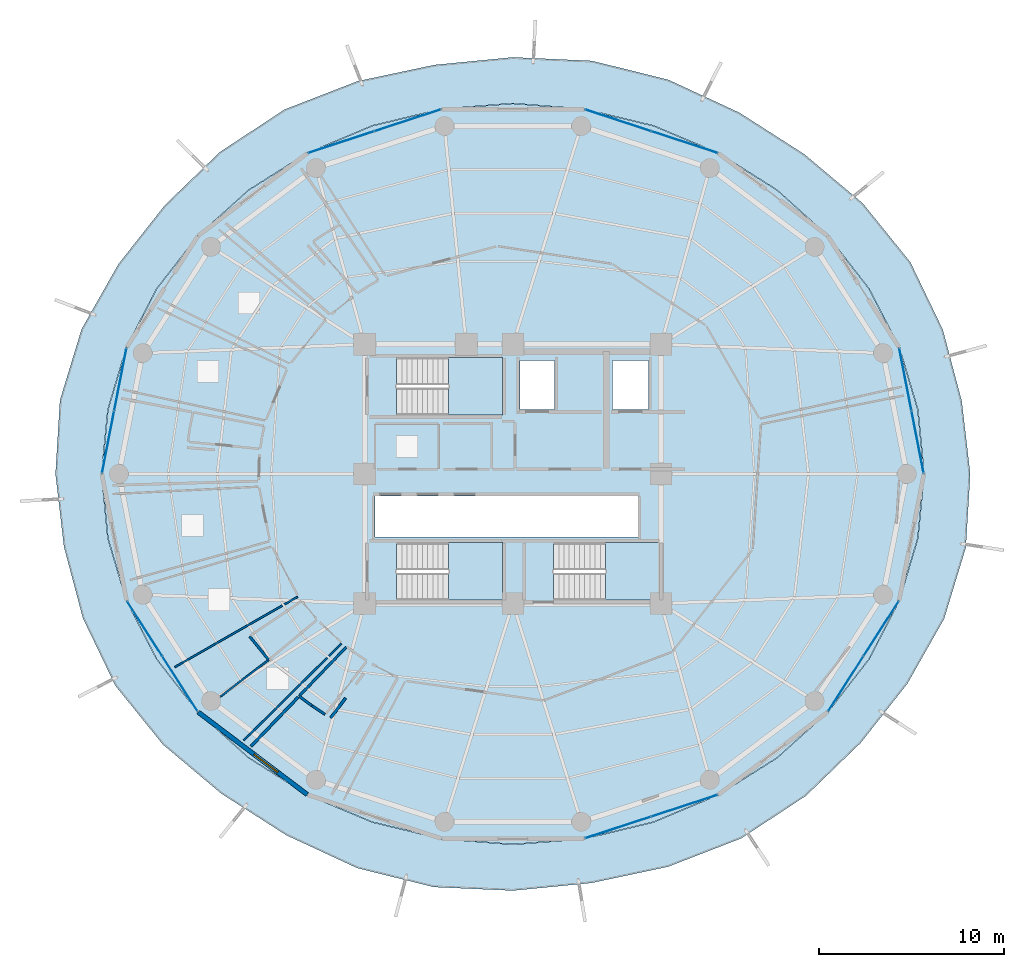
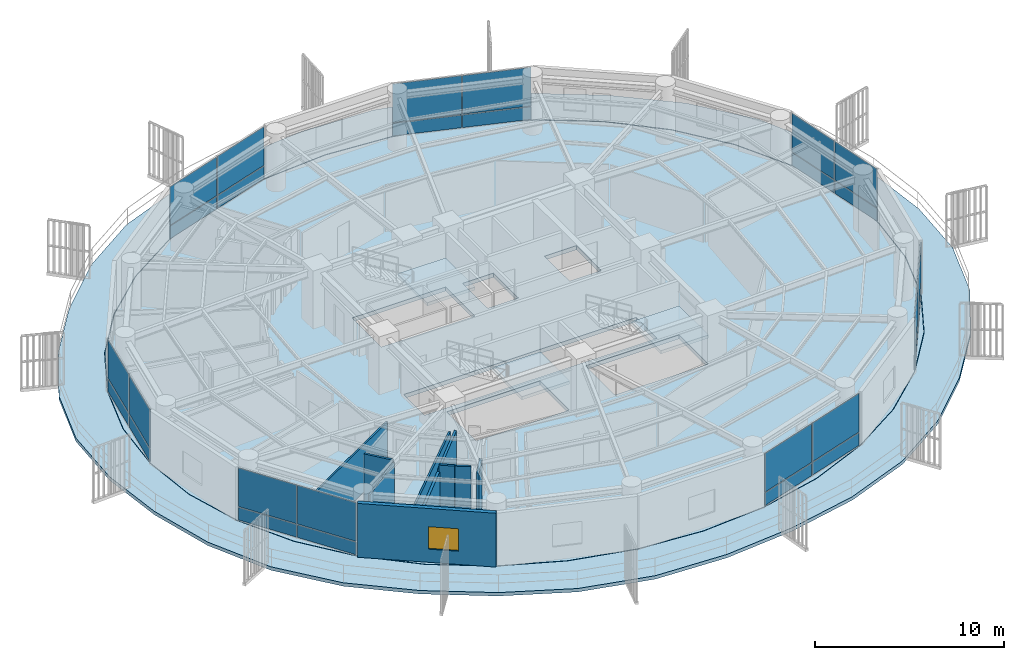
# One storey, part 23 of 31: 28 plates, 10 walls, 5 slabs, 1 window, 1 opening, 10 elements without a shape of their own.
"""IFC4 building model written with IfcOpenShell, lengths in metres."""

from ifc_helpers import new_model, si_unit, direction, frame, frame_2d, origin, origin_2d, place, context, subcontext, project, spatial, polyline, rectangle, outline, extrude, source, transform, mapped, material, layer, layer_set, type_object, element, fill, aggregate, save


model = new_model("IFC4")

# Units and contexts
model_context = context("Model", 3, precision=1e-05, world=origin(), true_north=direction((0.0, 1.0)))
body_context = subcontext(model_context, "Body", "Model", "MODEL_VIEW")
ifc_project = project(units=[si_unit("LENGTHUNIT", "METRE"), si_unit("AREAUNIT", "SQUARE_METRE"), si_unit("VOLUMEUNIT", "CUBIC_METRE"), si_unit("PLANEANGLEUNIT", "RADIAN"), si_unit("MASSUNIT", "GRAM", prefix="KILO")], contexts=[model_context])

# Site, building, storey
site_placement = place(None, origin())
site = spatial("IfcSite", under=ifc_project, at=site_placement, CompositionType="ELEMENT")
building_placement = place(site_placement, origin())
building = spatial("IfcBuilding", under=site, at=building_placement, Name="Kelanora Arch Commons", CompositionType="ELEMENT")
storey_placement = place(building_placement, frame((0.0, 0.0, 196.949951171875)))
storey = spatial("IfcBuildingStorey", under=building, at=storey_placement, Name="L50", CompositionType="ELEMENT", Elevation=196.949951171875)

# Stair, slab
ifc_material_1 = material(Name="Concrete C40/50", Category="concrete")
stair_type = type_object("IfcStairType", Name="STR-DL-375", PredefinedType="HALF_TURN_STAIR", material=ifc_material_1)
stair_1_placement = place(storey_placement, origin())
stair_1 = element("IfcStair", 1, at=stair_1_placement, inside=storey, type_object=stair_type, Name="L50 ST-T1", PredefinedType="HALF_TURN_STAIR")
ifc_layer_1 = layer(ifc_material_1, 0.199951171875)
ifc_layer_set_1 = layer_set([ifc_layer_1], Name="Concrete C40/50")
slab_type_1 = type_object("IfcSlabType", Name="SLB-STAIR-LND", PredefinedType="LANDING", material=ifc_layer_set_1)
slab_1_placement = place(storey_placement, frame((0.0, 0.0, 1.675048828125)))
slab_1 = element("IfcSlab", 2, at=slab_1_placement, type_object=slab_type_1, Name="ST-T1 landing 1", PredefinedType="LANDING", context=body_context, shape_type="SweptSolid", body=[
    extrude(outline(polyline([(70.52001953125, 61.179931640625), (73.43994140625, 61.179931640625), (73.43994140625, 64.2900390625), (70.52001953125, 64.2900390625), (70.52001953125, 61.179931640625)])), origin(), (0.0, 0.0, 1.0), 0.199951171875),
])
aggregate(stair_1, [slab_1])

stair_2_placement = place(storey_placement, origin())
stair_2 = element("IfcStair", 3, at=stair_2_placement, inside=storey, type_object=stair_type, Name="L50 ST-T2", PredefinedType="HALF_TURN_STAIR")
slab_2_placement = place(storey_placement, frame((0.0, 0.0, 1.675048828125)))
slab_2 = element("IfcSlab", 4, at=slab_2_placement, type_object=slab_type_1, Name="ST-T2 landing 1", PredefinedType="LANDING", context=body_context, shape_type="SweptSolid", body=[
    extrude(outline(polyline([(79.0, 51.179931640625), (81.919921875, 51.179931640625), (81.919921875, 54.2900390625), (79.0, 54.2900390625), (79.0, 51.179931640625)])), origin(), (0.0, 0.0, 1.0), 0.199951171875),
])
aggregate(stair_2, [slab_2])

stair_3_placement = place(storey_placement, origin())
stair_3 = element("IfcStair", 5, at=stair_3_placement, inside=storey, type_object=stair_type, Name="L50 ST-T3", PredefinedType="HALF_TURN_STAIR")
slab_3_placement = place(storey_placement, frame((0.0, 0.0, 1.675048828125)))
slab_3 = element("IfcSlab", 6, at=slab_3_placement, type_object=slab_type_1, Name="ST-T3 landing 1", PredefinedType="LANDING", context=body_context, shape_type="SweptSolid", body=[
    extrude(outline(polyline([(70.52001953125, 51.179931640625), (73.43994140625, 51.179931640625), (73.43994140625, 54.2900390625), (70.52001953125, 54.2900390625), (70.52001953125, 51.179931640625)])), origin(), (0.0, 0.0, 1.0), 0.199951171875),
])
aggregate(stair_3, [slab_3])

# Slabs
ifc_layer_2 = layer(ifc_material_1, 0.260009765625)
ifc_layer_set_2 = layer_set([ifc_layer_2], Name="Concrete C40/50")
slab_type_2 = type_object("IfcSlabType", Name="SLB-TWR-TYP", PredefinedType="FLOOR", material=ifc_layer_set_2)
slab_4_placement = place(storey_placement, frame((0.0, 0.0, -0.260009765625)))
element("IfcSlab", 7, at=slab_4_placement, inside=storey, type_object=slab_type_2, Name="Tower Floor Slab L50", PredefinedType="FLOOR", context=body_context, shape_type="SweptSolid", body=[
    extrude(outline(polyline([(96.199951171875, 58.0), (95.86279296875, 61.472900390625), (94.861083984375, 64.84033203125), (93.225830078125, 68.0), (91.006103515625, 70.855712890625), (88.27001953125, 73.32080078125), (85.10009765625, 75.320556640625), (81.5927734375, 76.7939453125), (77.85498046875, 77.6962890625), (74.0, 78.0), (70.14501953125, 77.6962890625), (66.4072265625, 76.7939453125), (62.89990234375, 75.320556640625), (59.72998046875, 73.32080078125), (56.993896484375, 70.855712890625), (54.774169921875, 68.0), (53.138916015625, 64.84033203125), (52.13720703125, 61.472900390625), (51.800048828125, 58.0), (52.13720703125, 54.527099609375), (53.138916015625, 51.15966796875), (54.774169921875, 48.0), (56.993896484375, 45.144287109375), (59.72998046875, 42.67919921875), (62.89990234375, 40.679443359375), (66.4072265625, 39.2060546875), (70.14501953125, 38.3037109375), (74.0, 38.0), (77.85498046875, 38.3037109375), (81.5927734375, 39.2060546875), (85.10009765625, 40.679443359375), (88.27001953125, 42.67919921875), (91.006103515625, 45.144287109375), (93.225830078125, 48.0), (94.861083984375, 51.15966796875), (95.86279296875, 54.527099609375), (96.199951171875, 58.0)]), holes=[polyline([(73.431884765625, 51.18798828125), (67.72802734375, 51.18798828125), (67.72802734375, 54.281982421875), (73.431884765625, 54.281982421875), (73.431884765625, 51.18798828125)]), polyline([(76.2080078125, 51.18798828125), (76.2080078125, 54.281982421875), (81.912109375, 54.281982421875), (81.912109375, 51.18798828125), (76.2080078125, 51.18798828125)]), polyline([(66.550048828125, 54.60009765625), (66.550048828125, 56.800048828125), (80.75, 56.800048828125), (80.75, 54.60009765625), (66.550048828125, 54.60009765625)]), polyline([(73.431884765625, 61.18798828125), (67.72802734375, 61.18798828125), (67.72802734375, 64.281982421875), (73.431884765625, 64.281982421875), (73.431884765625, 61.18798828125)]), polyline([(74.3798828125, 61.47998046875), (74.3798828125, 64.1201171875), (76.260009765625, 64.1201171875), (76.260009765625, 61.47998046875), (74.3798828125, 61.47998046875)]), polyline([(79.3798828125, 61.47998046875), (79.3798828125, 64.1201171875), (81.320068359375, 64.1201171875), (81.320068359375, 61.47998046875), (79.3798828125, 61.47998046875)])]), origin(), (0.0, 0.0, 1.0), 0.260009765625),
])
ifc_layer_3 = layer(ifc_material_1, 0.219970703125)
ifc_layer_set_3 = layer_set([ifc_layer_3], Name="Concrete C40/50")
slab_type_3 = type_object("IfcSlabType", Name="SLB-WAVE-BAL", PredefinedType="FLOOR", material=ifc_layer_set_3)
slab_5_placement = place(storey_placement, frame((0.0, 0.0, -0.219970703125)))
element("IfcSlab", 8, at=slab_5_placement, inside=storey, type_object=slab_type_3, Name="Sinusoidal Wave Balcony Slab L50", PredefinedType="FLOOR", context=body_context, shape_type="SweptSolid", body=[
    extrude(outline(polyline([(98.703857421875, 58.0), (98.244140625, 61.939208984375), (97.220703125, 65.793701171875), (95.468017578125, 69.43701171875), (92.8984375, 72.6181640625), (89.741943359375, 75.26806640625), (86.23876953125, 77.509765625), (82.409912109375, 79.285400390625), (78.2705078125, 80.312255859375), (74.0, 80.50390625), (69.764404296875, 80.0927734375), (65.6142578125, 79.2119140625), (61.671142578125, 77.68310546875), (58.170654296875, 75.3837890625), (55.20751953125, 72.519287109375), (52.696533203125, 69.33154296875), (50.707763671875, 65.822509765625), (49.537841796875, 61.981689453125), (49.296142578125, 58.0), (49.755859375, 54.060791015625), (50.779296875, 50.206298828125), (52.531982421875, 46.56298828125), (55.1015625, 43.3818359375), (58.258056640625, 40.73193359375), (61.76123046875, 38.490234375), (65.590087890625, 36.714599609375), (69.7294921875, 35.687744140625), (74.0, 35.49609375), (78.235595703125, 35.9072265625), (82.3857421875, 36.7880859375), (86.328857421875, 38.31689453125), (89.829345703125, 40.6162109375), (92.79248046875, 43.480712890625), (95.303466796875, 46.66845703125), (97.292236328125, 50.177490234375), (98.462158203125, 54.018310546875), (98.703857421875, 58.0)]), holes=[polyline([(95.88232421875, 54.523681640625), (94.8798828125, 51.15283203125), (93.2431640625, 47.989990234375), (91.021484375, 45.13134765625), (88.28271484375, 42.663818359375), (85.110107421875, 40.662109375), (81.599609375, 39.1875), (77.8583984375, 38.2841796875), (74.0, 37.97998046875), (70.1416015625, 38.2841796875), (66.400390625, 39.1875), (62.889892578125, 40.662109375), (59.71728515625, 42.663818359375), (56.978515625, 45.13134765625), (54.7568359375, 47.989990234375), (53.1201171875, 51.15283203125), (52.11767578125, 54.523681640625), (51.780029296875, 58.0), (52.11767578125, 61.476318359375), (53.1201171875, 64.84716796875), (54.7568359375, 68.010009765625), (56.978515625, 70.86865234375), (59.71728515625, 73.336181640625), (62.889892578125, 75.337890625), (66.400390625, 76.8125), (70.1416015625, 77.7158203125), (74.0, 78.02001953125), (77.8583984375, 77.7158203125), (81.599609375, 76.8125), (85.110107421875, 75.337890625), (88.28271484375, 73.336181640625), (91.021484375, 70.86865234375), (93.2431640625, 68.010009765625), (94.8798828125, 64.84716796875), (95.88232421875, 61.476318359375), (96.219970703125, 58.0), (95.88232421875, 54.523681640625)])]), origin(), (0.0, 0.0, 1.0), 0.219970703125),
])

# Curtain wall, plates
ifc_material_2 = material(Name="Terracotta ceramic-fritted low-E glass and aluminium", Category="masonry")
ifc_layer_4 = layer(ifc_material_2, 0.175048828125)
ifc_layer_set_4 = layer_set([ifc_layer_4], Name="Terracotta ceramic-fritted low-E glass and aluminium")
curtain_wall_type = type_object("IfcCurtainWallType", Name="CW-SYS-02", PredefinedType="NOTDEFINED", material=ifc_layer_set_4)
curtain_wall_1_placement = place(storey_placement, origin())
curtain_wall_1 = element("IfcCurtainWall", 9, at=curtain_wall_1_placement, inside=storey, type_object=curtain_wall_type, Name="Unitised Curtain Wall L50-B00", PredefinedType="NOTDEFINED")
ifc_material_3 = material(Name="Terracotta ceramic-fritted double glazing", Category="masonry")
ifc_layer_5 = layer(ifc_material_3, 0.028076171875)
ifc_layer_set_5 = layer_set([ifc_layer_5], Name="Terracotta ceramic-fritted double glazing")
plate_type = type_object("IfcPlateType", Name="CWP-FRIT", PredefinedType="CURTAIN_PANEL", material=ifc_layer_set_5)
shared_shape_1 = source(origin(), body_context, "Body", "SweptSolid", [
    extrude(rectangle(XDim=3.380126953125, YDim=0.028076171875, at=origin_2d()), origin(), (0.0, 0.0, 1.0), 0.81005859375),
])
plate_1_placement = place(storey_placement, frame((95.861083984375, 59.732177734375, 0.06005859375), z_axis=(0.0, 0.0, 1.0), x_axis=(-0.192068926335, 0.981381438349, 0.0)))
plate_1 = element("IfcPlate", 10, at=plate_1_placement, type_object=plate_type, Name="CW-02 panel 1.1", PredefinedType="CURTAIN_PANEL", context=body_context, shape_type="MappedRepresentation", body=[
    mapped(shared_shape_1, transform((0.0, 0.0, 0.0), scale=1.0)),
])
plate_2_placement = place(storey_placement, frame((95.2001953125, 63.108154296875, 0.06005859375), z_axis=(0.0, 0.0, 1.0), x_axis=(-0.192068926335, 0.981381438349, 0.0)))
plate_2 = element("IfcPlate", 11, at=plate_2_placement, type_object=plate_type, Name="CW-02 panel 2.1", PredefinedType="CURTAIN_PANEL", context=body_context, shape_type="MappedRepresentation", body=[
    mapped(shared_shape_1, transform((0.0, 0.0, 0.0), scale=1.0)),
])

curtain_wall_2_placement = place(storey_placement, origin())
curtain_wall_2 = element("IfcCurtainWall", 12, at=curtain_wall_2_placement, inside=storey, type_object=curtain_wall_type, Name="Unitised Curtain Wall L50-B08", PredefinedType="NOTDEFINED")
plate_3_placement = place(storey_placement, frame((52.7998046875, 63.108154296875, 0.06005859375), z_axis=(0.0, 0.0, 1.0), x_axis=(-0.192068926335, -0.981381438349, 0.0)))
plate_3 = element("IfcPlate", 13, at=plate_3_placement, type_object=plate_type, Name="CW-02 panel 1.1", PredefinedType="CURTAIN_PANEL", context=body_context, shape_type="MappedRepresentation", body=[
    mapped(shared_shape_1, transform((0.0, 0.0, 0.0), scale=1.0)),
])
plate_4_placement = place(storey_placement, frame((52.138916015625, 59.732177734375, 0.06005859375), z_axis=(0.0, 0.0, 1.0), x_axis=(-0.192068926335, -0.981381438349, 0.0)))
plate_4 = element("IfcPlate", 14, at=plate_4_placement, type_object=plate_type, Name="CW-02 panel 2.1", PredefinedType="CURTAIN_PANEL", context=body_context, shape_type="MappedRepresentation", body=[
    mapped(shared_shape_1, transform((0.0, 0.0, 0.0), scale=1.0)),
])

# Plate
shared_shape_2 = source(origin(), body_context, "Body", "SweptSolid", [
    extrude(rectangle(XDim=3.380126953125, YDim=0.028076171875, at=origin_2d()), origin(), (0.0, 0.0, 1.0), 2.485107421875),
])
plate_5_placement = place(storey_placement, frame((95.861083984375, 59.732177734375, 0.93017578125), z_axis=(0.0, 0.0, 1.0), x_axis=(-0.192068926335, 0.981381438349, 0.0)))
plate_5 = element("IfcPlate", 15, at=plate_5_placement, type_object=plate_type, Name="CW-02 panel 1.2", PredefinedType="CURTAIN_PANEL", context=body_context, shape_type="MappedRepresentation", body=[
    mapped(shared_shape_2, transform((0.0, 0.0, 0.0), scale=1.0)),
])

plate_6_placement = place(storey_placement, frame((95.2001953125, 63.108154296875, 0.93017578125), z_axis=(0.0, 0.0, 1.0), x_axis=(-0.192068926335, 0.981381438349, 0.0)))
plate_6 = element("IfcPlate", 16, at=plate_6_placement, type_object=plate_type, Name="CW-02 panel 2.2", PredefinedType="CURTAIN_PANEL", context=body_context, shape_type="MappedRepresentation", body=[
    mapped(shared_shape_2, transform((0.0, 0.0, 0.0), scale=1.0)),
])

aggregate(curtain_wall_1, [plate_1, plate_5, plate_2, plate_6])

plate_7_placement = place(storey_placement, frame((52.7998046875, 63.108154296875, 0.93017578125), z_axis=(0.0, 0.0, 1.0), x_axis=(-0.192068926335, -0.981381438349, 0.0)))
plate_7 = element("IfcPlate", 17, at=plate_7_placement, type_object=plate_type, Name="CW-02 panel 1.2", PredefinedType="CURTAIN_PANEL", context=body_context, shape_type="MappedRepresentation", body=[
    mapped(shared_shape_2, transform((0.0, 0.0, 0.0), scale=1.0)),
])

plate_8_placement = place(storey_placement, frame((52.138916015625, 59.732177734375, 0.93017578125), z_axis=(0.0, 0.0, 1.0), x_axis=(-0.192068926335, -0.981381438349, 0.0)))
plate_8 = element("IfcPlate", 18, at=plate_8_placement, type_object=plate_type, Name="CW-02 panel 2.2", PredefinedType="CURTAIN_PANEL", context=body_context, shape_type="MappedRepresentation", body=[
    mapped(shared_shape_2, transform((0.0, 0.0, 0.0), scale=1.0)),
])

aggregate(curtain_wall_2, [plate_3, plate_7, plate_4, plate_8])

# Curtain wall, plates
curtain_wall_3_placement = place(storey_placement, origin())
curtain_wall_3 = element("IfcCurtainWall", 19, at=curtain_wall_3_placement, inside=storey, type_object=curtain_wall_type, Name="Unitised Curtain Wall L50-B03", PredefinedType="NOTDEFINED")
shared_shape_3 = source(origin(), body_context, "Body", "SweptSolid", [
    extrude(rectangle(XDim=3.707275390625, YDim=0.028076171875, at=origin_2d()), origin(), (0.0, 0.0, 1.0), 0.81005859375),
])
plate_9_placement = place(storey_placement, frame((83.267333984375, 75.92138671875, 0.06005859375), z_axis=(0.0, 0.0, 1.0), x_axis=(-0.950219124029, 0.311582439059, 0.0)))
plate_9 = element("IfcPlate", 20, at=plate_9_placement, type_object=plate_type, Name="CW-02 panel 1.1", PredefinedType="CURTAIN_PANEL", context=body_context, shape_type="MappedRepresentation", body=[
    mapped(shared_shape_3, transform((0.0, 0.0, 0.0), scale=1.0)),
])
plate_10_placement = place(storey_placement, frame((79.687744140625, 77.09521484375, 0.06005859375), z_axis=(0.0, 0.0, 1.0), x_axis=(-0.950219124029, 0.311582439059, 0.0)))
plate_10 = element("IfcPlate", 21, at=plate_10_placement, type_object=plate_type, Name="CW-02 panel 2.1", PredefinedType="CURTAIN_PANEL", context=body_context, shape_type="MappedRepresentation", body=[
    mapped(shared_shape_3, transform((0.0, 0.0, 0.0), scale=1.0)),
])

curtain_wall_4_placement = place(storey_placement, origin())
curtain_wall_4 = element("IfcCurtainWall", 22, at=curtain_wall_4_placement, inside=storey, type_object=curtain_wall_type, Name="Unitised Curtain Wall L50-B05", PredefinedType="NOTDEFINED")
plate_11_placement = place(storey_placement, frame((68.312255859375, 77.09521484375, 0.06005859375), z_axis=(0.0, 0.0, 1.0), x_axis=(-0.950219124029, -0.311582439059, 0.0)))
plate_11 = element("IfcPlate", 23, at=plate_11_placement, type_object=plate_type, Name="CW-02 panel 1.1", PredefinedType="CURTAIN_PANEL", context=body_context, shape_type="MappedRepresentation", body=[
    mapped(shared_shape_3, transform((0.0, 0.0, 0.0), scale=1.0)),
])
plate_12_placement = place(storey_placement, frame((64.732666015625, 75.92138671875, 0.06005859375), z_axis=(0.0, 0.0, 1.0), x_axis=(-0.950219124029, -0.311582439059, 0.0)))
plate_12 = element("IfcPlate", 24, at=plate_12_placement, type_object=plate_type, Name="CW-02 panel 2.1", PredefinedType="CURTAIN_PANEL", context=body_context, shape_type="MappedRepresentation", body=[
    mapped(shared_shape_3, transform((0.0, 0.0, 0.0), scale=1.0)),
])

curtain_wall_5_placement = place(storey_placement, origin())
curtain_wall_5 = element("IfcCurtainWall", 25, at=curtain_wall_5_placement, inside=storey, type_object=curtain_wall_type, Name="Unitised Curtain Wall L50-B14", PredefinedType="NOTDEFINED")
plate_13_placement = place(storey_placement, frame((79.687744140625, 38.90478515625, 0.06005859375), z_axis=(0.0, 0.0, 1.0), x_axis=(0.950219124029, 0.311582439059, 0.0)))
plate_13 = element("IfcPlate", 26, at=plate_13_placement, type_object=plate_type, Name="CW-02 panel 1.1", PredefinedType="CURTAIN_PANEL", context=body_context, shape_type="MappedRepresentation", body=[
    mapped(shared_shape_3, transform((0.0, 0.0, 0.0), scale=1.0)),
])
plate_14_placement = place(storey_placement, frame((83.267333984375, 40.07861328125, 0.06005859375), z_axis=(0.0, 0.0, 1.0), x_axis=(0.950219124029, 0.311582439059, 0.0)))
plate_14 = element("IfcPlate", 27, at=plate_14_placement, type_object=plate_type, Name="CW-02 panel 2.1", PredefinedType="CURTAIN_PANEL", context=body_context, shape_type="MappedRepresentation", body=[
    mapped(shared_shape_3, transform((0.0, 0.0, 0.0), scale=1.0)),
])

# Plate
shared_shape_4 = source(origin(), body_context, "Body", "SweptSolid", [
    extrude(rectangle(XDim=3.707275390625, YDim=0.028076171875, at=origin_2d()), origin(), (0.0, 0.0, 1.0), 2.485107421875),
])
plate_15_placement = place(storey_placement, frame((83.267333984375, 75.92138671875, 0.93017578125), z_axis=(0.0, 0.0, 1.0), x_axis=(-0.950219124029, 0.311582439059, 0.0)))
plate_15 = element("IfcPlate", 28, at=plate_15_placement, type_object=plate_type, Name="CW-02 panel 1.2", PredefinedType="CURTAIN_PANEL", context=body_context, shape_type="MappedRepresentation", body=[
    mapped(shared_shape_4, transform((0.0, 0.0, 0.0), scale=1.0)),
])

plate_16_placement = place(storey_placement, frame((79.687744140625, 77.09521484375, 0.93017578125), z_axis=(0.0, 0.0, 1.0), x_axis=(-0.950219124029, 0.311582439059, 0.0)))
plate_16 = element("IfcPlate", 29, at=plate_16_placement, type_object=plate_type, Name="CW-02 panel 2.2", PredefinedType="CURTAIN_PANEL", context=body_context, shape_type="MappedRepresentation", body=[
    mapped(shared_shape_4, transform((0.0, 0.0, 0.0), scale=1.0)),
])

aggregate(curtain_wall_3, [plate_9, plate_15, plate_10, plate_16])

plate_17_placement = place(storey_placement, frame((68.312255859375, 77.09521484375, 0.93017578125), z_axis=(0.0, 0.0, 1.0), x_axis=(-0.950219124029, -0.311582439059, 0.0)))
plate_17 = element("IfcPlate", 30, at=plate_17_placement, type_object=plate_type, Name="CW-02 panel 1.2", PredefinedType="CURTAIN_PANEL", context=body_context, shape_type="MappedRepresentation", body=[
    mapped(shared_shape_4, transform((0.0, 0.0, 0.0), scale=1.0)),
])

plate_18_placement = place(storey_placement, frame((64.732666015625, 75.92138671875, 0.93017578125), z_axis=(0.0, 0.0, 1.0), x_axis=(-0.950219124029, -0.311582439059, 0.0)))
plate_18 = element("IfcPlate", 31, at=plate_18_placement, type_object=plate_type, Name="CW-02 panel 2.2", PredefinedType="CURTAIN_PANEL", context=body_context, shape_type="MappedRepresentation", body=[
    mapped(shared_shape_4, transform((0.0, 0.0, 0.0), scale=1.0)),
])

aggregate(curtain_wall_4, [plate_11, plate_17, plate_12, plate_18])

plate_19_placement = place(storey_placement, frame((79.687744140625, 38.90478515625, 0.93017578125), z_axis=(0.0, 0.0, 1.0), x_axis=(0.950219124029, 0.311582439059, 0.0)))
plate_19 = element("IfcPlate", 32, at=plate_19_placement, type_object=plate_type, Name="CW-02 panel 1.2", PredefinedType="CURTAIN_PANEL", context=body_context, shape_type="MappedRepresentation", body=[
    mapped(shared_shape_4, transform((0.0, 0.0, 0.0), scale=1.0)),
])

plate_20_placement = place(storey_placement, frame((83.267333984375, 40.07861328125, 0.93017578125), z_axis=(0.0, 0.0, 1.0), x_axis=(0.950219124029, 0.311582439059, 0.0)))
plate_20 = element("IfcPlate", 33, at=plate_20_placement, type_object=plate_type, Name="CW-02 panel 2.2", PredefinedType="CURTAIN_PANEL", context=body_context, shape_type="MappedRepresentation", body=[
    mapped(shared_shape_4, transform((0.0, 0.0, 0.0), scale=1.0)),
])

aggregate(curtain_wall_5, [plate_13, plate_19, plate_14, plate_20])

# Curtain wall, plates
curtain_wall_6_placement = place(storey_placement, origin())
curtain_wall_6 = element("IfcCurtainWall", 34, at=curtain_wall_6_placement, inside=storey, type_object=curtain_wall_type, Name="Unitised Curtain Wall L50-B10", PredefinedType="NOTDEFINED")
shared_shape_5 = source(origin(), body_context, "Body", "SweptSolid", [
    extrude(rectangle(XDim=3.46728515625, YDim=0.028076171875, at=origin_2d()), origin(), (0.0, 0.0, 1.0), 0.81005859375),
])
plate_21_placement = place(storey_placement, frame((54.11474609375, 49.63671875, 0.06005859375), z_axis=(0.0, 0.0, 1.0), x_axis=(0.539559338994, -0.84194757539, 0.0)))
plate_21 = element("IfcPlate", 35, at=plate_21_placement, type_object=plate_type, Name="CW-02 panel 1.1", PredefinedType="CURTAIN_PANEL", context=body_context, shape_type="MappedRepresentation", body=[
    mapped(shared_shape_5, transform((0.0, 0.0, 0.0), scale=1.0)),
])
plate_22_placement = place(storey_placement, frame((56.017822265625, 46.6669921875, 0.06005859375), z_axis=(0.0, 0.0, 1.0), x_axis=(0.539559338994, -0.84194757539, 0.0)))
plate_22 = element("IfcPlate", 36, at=plate_22_placement, type_object=plate_type, Name="CW-02 panel 2.1", PredefinedType="CURTAIN_PANEL", context=body_context, shape_type="MappedRepresentation", body=[
    mapped(shared_shape_5, transform((0.0, 0.0, 0.0), scale=1.0)),
])

curtain_wall_7_placement = place(storey_placement, origin())
curtain_wall_7 = element("IfcCurtainWall", 37, at=curtain_wall_7_placement, inside=storey, type_object=curtain_wall_type, Name="Unitised Curtain Wall L50-B16", PredefinedType="NOTDEFINED")
plate_23_placement = place(storey_placement, frame((91.982177734375, 46.6669921875, 0.06005859375), z_axis=(0.0, 0.0, 1.0), x_axis=(0.539559338994, 0.84194757539, 0.0)))
plate_23 = element("IfcPlate", 38, at=plate_23_placement, type_object=plate_type, Name="CW-02 panel 1.1", PredefinedType="CURTAIN_PANEL", context=body_context, shape_type="MappedRepresentation", body=[
    mapped(shared_shape_5, transform((0.0, 0.0, 0.0), scale=1.0)),
])
plate_24_placement = place(storey_placement, frame((93.88525390625, 49.63671875, 0.06005859375), z_axis=(0.0, 0.0, 1.0), x_axis=(0.539559338994, 0.84194757539, 0.0)))
plate_24 = element("IfcPlate", 39, at=plate_24_placement, type_object=plate_type, Name="CW-02 panel 2.1", PredefinedType="CURTAIN_PANEL", context=body_context, shape_type="MappedRepresentation", body=[
    mapped(shared_shape_5, transform((0.0, 0.0, 0.0), scale=1.0)),
])

# Plate
shared_shape_6 = source(origin(), body_context, "Body", "SweptSolid", [
    extrude(rectangle(XDim=3.46728515625, YDim=0.028076171875, at=origin_2d()), origin(), (0.0, 0.0, 1.0), 2.485107421875),
])
plate_25_placement = place(storey_placement, frame((54.11474609375, 49.63671875, 0.93017578125), z_axis=(0.0, 0.0, 1.0), x_axis=(0.539559338994, -0.84194757539, 0.0)))
plate_25 = element("IfcPlate", 40, at=plate_25_placement, type_object=plate_type, Name="CW-02 panel 1.2", PredefinedType="CURTAIN_PANEL", context=body_context, shape_type="MappedRepresentation", body=[
    mapped(shared_shape_6, transform((0.0, 0.0, 0.0), scale=1.0)),
])

plate_26_placement = place(storey_placement, frame((56.017822265625, 46.6669921875, 0.93017578125), z_axis=(0.0, 0.0, 1.0), x_axis=(0.539559338994, -0.84194757539, 0.0)))
plate_26 = element("IfcPlate", 41, at=plate_26_placement, type_object=plate_type, Name="CW-02 panel 2.2", PredefinedType="CURTAIN_PANEL", context=body_context, shape_type="MappedRepresentation", body=[
    mapped(shared_shape_6, transform((0.0, 0.0, 0.0), scale=1.0)),
])

aggregate(curtain_wall_6, [plate_21, plate_25, plate_22, plate_26])

plate_27_placement = place(storey_placement, frame((91.982177734375, 46.6669921875, 0.93017578125), z_axis=(0.0, 0.0, 1.0), x_axis=(0.539559338994, 0.84194757539, 0.0)))
plate_27 = element("IfcPlate", 42, at=plate_27_placement, type_object=plate_type, Name="CW-02 panel 1.2", PredefinedType="CURTAIN_PANEL", context=body_context, shape_type="MappedRepresentation", body=[
    mapped(shared_shape_6, transform((0.0, 0.0, 0.0), scale=1.0)),
])

plate_28_placement = place(storey_placement, frame((93.88525390625, 49.63671875, 0.93017578125), z_axis=(0.0, 0.0, 1.0), x_axis=(0.539559338994, 0.84194757539, 0.0)))
plate_28 = element("IfcPlate", 43, at=plate_28_placement, type_object=plate_type, Name="CW-02 panel 2.2", PredefinedType="CURTAIN_PANEL", context=body_context, shape_type="MappedRepresentation", body=[
    mapped(shared_shape_6, transform((0.0, 0.0, 0.0), scale=1.0)),
])

aggregate(curtain_wall_7, [plate_23, plate_27, plate_24, plate_28])

# Walls
ifc_material_4 = material(Name="Autoclaved aerated concrete blockwork with fire plaster", Category="masonry")
ifc_layer_6 = layer(ifc_material_4, 0.14990234375)
ifc_layer_set_6 = layer_set([ifc_layer_6], Name="Autoclaved aerated concrete blockwork with fire plaster")
wall_type_1 = type_object("IfcWallType", Name="W-COMP-150", PredefinedType="PARTITIONING", material=ifc_layer_set_6)
wall_1_placement = place(storey_placement, frame((59.854736328125, 43.287841796875, 0.0), z_axis=(0.0, 0.0, 1.0), x_axis=(0.692562282737, 0.72135808343, 0.0)))
element("IfcWall", 44, at=wall_1_placement, inside=storey, type_object=wall_type_1, Name="Co-Living Studio L50-08 Enclosure Partition 5", PredefinedType="PARTITIONING", context=body_context, shape_type="SweptSolid", body=[
    extrude(rectangle(XDim=3.671142578125, YDim=0.14990234375, at=frame_2d((1.83544921875, 0.0))), origin(), (0.0, 0.0, 1.0), 3.074951171875),
])
wall_2_placement = place(storey_placement, frame((64.161865234375, 44.822998046875, 0.0), z_axis=(0.0, 0.0, 1.0), x_axis=(0.597925227294, 0.801551883889, 0.0)))
element("IfcWall", 45, at=wall_2_placement, inside=storey, type_object=wall_type_1, Name="Co-Living Studio L50-08 Enclosure Partition 7", PredefinedType="PARTITIONING", context=body_context, shape_type="SweptSolid", body=[
    extrude(rectangle(XDim=1.338134765625, YDim=0.14990234375, at=frame_2d((0.6689453125, 0.0))), origin(), (0.0, 0.0, 1.0), 3.025146484375),
])

# Wall, opening, window
ifc_material_5 = material(Name="Precast concrete C40/50 upper-zone terracotta rainscreen", Category="masonry")
ifc_layer_7 = layer(ifc_material_5, 0.239990234375)
ifc_layer_set_7 = layer_set([ifc_layer_7], Name="Precast concrete C40/50 upper-zone terracotta rainscreen")
wall_type_2 = type_object("IfcWallType", Name="W-EXT-TC2", PredefinedType="SOLIDWALL", material=ifc_layer_set_7)
wall_3_placement = place(storey_placement, frame((57.005859375, 45.13525390625, 0.0), z_axis=(0.0, 0.0, 1.0), x_axis=(0.797701674595, -0.603052268338, 0.0)))
wall_3 = element("IfcWall", 46, at=wall_3_placement, inside=storey, type_object=wall_type_2, Name="Terracotta Exterior Wall L50-B11", PredefinedType="SOLIDWALL", context=body_context, shape_type="SweptSolid", body=[
    extrude(rectangle(XDim=7.373779296875, YDim=0.239990234375, at=frame_2d((3.68701171875, 0.0))), origin(), (0.0, 0.0, 1.0), 3.47509765625),
])
opening_placement = place(wall_3_placement, frame((3.787109375, 0.0, 0.85009765625)))
opening = element("IfcOpeningElement", 47, at=opening_placement, cuts=wall_3, Name="Opening WN-01", PredefinedType="OPENING", context=body_context, shape_type="SweptSolid", body=[
    extrude(rectangle(XDim=1.60009765625, YDim=1.449951171875, at=frame_2d((0.800048828125, 0.72509765625))), frame((0.0, 0.1298828125, 0.0), z_axis=(0.0, -1.0, 0.0), x_axis=(1.0, 0.0, 0.0)), (0.0, 0.0, 1.0), 0.260009765625),
])
ifc_material_6 = material(Name="Terracotta-anodised aluminium frame with operable low-E glazing", Category="masonry")
window_type = type_object("IfcWindowType", Name="WIN-CL-18", PartitioningType="DOUBLE_PANEL_VERTICAL", PredefinedType="WINDOW", material=ifc_material_6)
window_placement = place(opening_placement, origin())
window = element("IfcWindow", 48, at=window_placement, inside=storey, type_object=window_type, Name="Co-Living Operable Window L50-B11", OverallHeight=1.449951171875, OverallWidth=1.60009765625, PartitioningType="SINGLE_PANEL", PredefinedType="WINDOW", context=body_context, shape_type="SweptSolid", body=[
    extrude(rectangle(XDim=1.60009765625, YDim=1.449951171875, at=frame_2d((0.800048828125, 0.72509765625))), frame((0.0, 0.030029296875, 0.0), z_axis=(0.0, -1.0, 0.0), x_axis=(1.0, 0.0, 0.0)), (0.0, 0.0, 1.0), 0.06005859375),
])
fill(opening, window)

# Walls
ifc_material_7 = material(Name="Lightweight fire-rated acoustic stud partition")
ifc_layer_8 = layer(ifc_material_7, 0.10009765625)
ifc_layer_set_8 = layer_set([ifc_layer_8], Name="Lightweight fire-rated acoustic stud partition")
wall_type_3 = type_object("IfcWallType", Name="W-PART-100", PredefinedType="PARTITIONING", material=ifc_layer_set_8)
wall_4_placement = place(storey_placement, frame((62.37939453125, 51.364013671875, 0.0), z_axis=(0.0, 0.0, 1.0), x_axis=(-0.868127220156, -0.496341746808, 0.0)))
element("IfcWall", 49, at=wall_4_placement, inside=storey, type_object=wall_type_3, Name="Social Sky Lounge L50-06 Enclosure Partition 2", PredefinedType="PARTITIONING", context=body_context, shape_type="SweptSolid", body=[
    extrude(rectangle(XDim=7.648193359375, YDim=0.10009765625, at=frame_2d((3.82421875, 0.0))), origin(), (0.0, 0.0, 1.0), 3.025146484375),
])
wall_5_placement = place(storey_placement, frame((64.74462890625, 48.8408203125, 0.0), z_axis=(0.0, 0.0, 1.0), x_axis=(-0.710363664194, -0.703834827635, 0.0)))
element("IfcWall", 50, at=wall_5_placement, inside=storey, type_object=wall_type_3, Name="Tutorial Study Alcove L50-07 Enclosure Partition 2", PredefinedType="PARTITIONING", context=body_context, shape_type="SweptSolid", body=[
    extrude(rectangle(XDim=7.44140625, YDim=0.10009765625, at=frame_2d((3.720703125, 0.0))), origin(), (0.0, 0.0, 1.0), 3.074951171875),
])
wall_6_placement = place(storey_placement, frame((58.19677734375, 45.968505859375, 0.0), z_axis=(0.0, 0.0, 1.0), x_axis=(0.79535379018, 0.606145484555, 0.0)))
element("IfcWall", 51, at=wall_6_placement, inside=storey, type_object=wall_type_3, Name="Tutorial Study Alcove L50-07 Enclosure Partition 4", PredefinedType="PARTITIONING", context=body_context, shape_type="SweptSolid", body=[
    extrude(rectangle(XDim=3.308349609375, YDim=0.10009765625, at=frame_2d((1.654296875, 0.0))), origin(), (0.0, 0.0, 1.0), 3.025146484375),
])
ifc_material_8 = material(Name="Moisture-resistant fire-rated cement-board plumbing wall")
ifc_layer_9 = layer(ifc_material_8, 0.1298828125)
ifc_layer_set_9 = layer_set([ifc_layer_9], Name="Moisture-resistant fire-rated cement-board plumbing wall")
wall_type_4 = type_object("IfcWallType", Name="W-WET-120", PredefinedType="PLUMBINGWALL", material=ifc_layer_set_9)
wall_7_placement = place(storey_placement, frame((60.803466796875, 47.972412109375, 0.0), z_axis=(0.0, 0.0, 1.0), x_axis=(-0.631048835574, 0.775743106396, 0.0)))
element("IfcWall", 52, at=wall_7_placement, inside=storey, type_object=wall_type_4, Name="Accessible Shared Floor WC L50-07 Enclosure Partition 3", PredefinedType="PLUMBINGWALL", context=body_context, shape_type="SweptSolid", body=[
    extrude(rectangle(XDim=1.611328125, YDim=0.1298828125, at=frame_2d((0.8056640625, 0.0))), origin(), (0.0, 0.0, 1.0), 3.175048828125),
])
wall_8_placement = place(storey_placement, frame((63.851318359375, 45.01513671875, 0.0), z_axis=(0.0, 0.0, 1.0), x_axis=(-0.833365951339, 0.552721621749, 0.0)))
element("IfcWall", 53, at=wall_8_placement, inside=storey, type_object=wall_type_4, Name="En-Suite Shower WC L50-08 Enclosure Partition 4", PredefinedType="PLUMBINGWALL", context=body_context, shape_type="SweptSolid", body=[
    extrude(rectangle(XDim=0.826416015625, YDim=0.1298828125, at=frame_2d((0.4130859375, 0.0))), origin(), (0.0, 0.0, 1.0), 3.47998046875),
])
wall_9_placement = place(storey_placement, frame((63.1298828125, 45.494873046875, 0.0), z_axis=(0.0, 0.0, 1.0), x_axis=(-0.805130367536, 0.593097876638, 0.0)))
element("IfcWall", 54, at=wall_9_placement, inside=storey, type_object=wall_type_4, Name="En-Suite Shower WC L50-08 Enclosure Partition 5", PredefinedType="PLUMBINGWALL", context=body_context, shape_type="SweptSolid", body=[
    extrude(rectangle(XDim=0.8232421875, YDim=0.1298828125, at=frame_2d((0.41162109375, 0.0))), origin(), (0.0, 0.0, 1.0), 3.47998046875),
])
wall_10_placement = place(storey_placement, frame((62.46484375, 46.009521484375, 0.0), z_axis=(0.0, 0.0, 1.0), x_axis=(0.693241598237, 0.720705270186, 0.0)))
element("IfcWall", 55, at=wall_10_placement, inside=storey, type_object=wall_type_4, Name="En-Suite Shower WC L50-08 Enclosure Partition 6", PredefinedType="PLUMBINGWALL", context=body_context, shape_type="SweptSolid", body=[
    extrude(rectangle(XDim=3.67138671875, YDim=0.1298828125, at=frame_2d((1.835693359375, 0.0))), origin(), (0.0, 0.0, 1.0), 3.175048828125),
])

save(model, "model.ifc")
